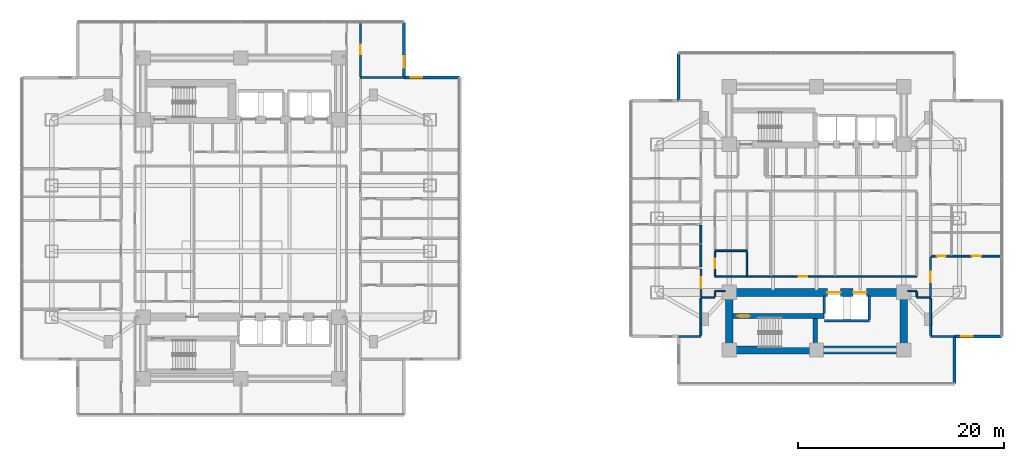
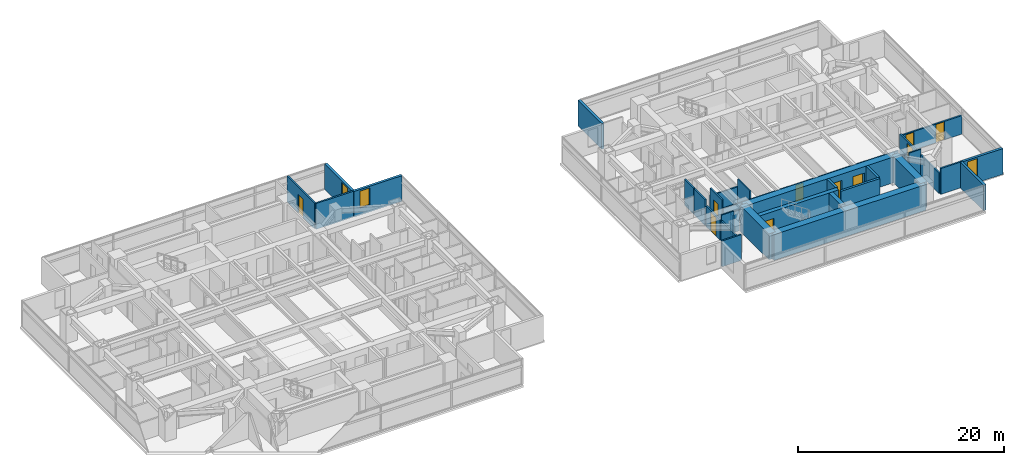
# One storey, part 16 of 26: 35 walls, 10 doors, 3 windows, 13 openings.
"""IFC4 building model written with IfcOpenShell, lengths in metres."""

from ifc_helpers import new_model, si_unit, direction, frame, frame_2d, origin, place, context, subcontext, project, spatial, rectangle, extrude, material, layer, layer_set, type_object, element, fill, save


model = new_model("IFC4")

# Units and contexts
model_context = context("Model", 3, precision=1e-05, world=origin(), true_north=direction((0.0, 1.0)))
body_context = subcontext(model_context, "Body", "Model", "MODEL_VIEW")
ifc_project = project(units=[si_unit("LENGTHUNIT", "METRE"), si_unit("AREAUNIT", "SQUARE_METRE"), si_unit("VOLUMEUNIT", "CUBIC_METRE"), si_unit("PLANEANGLEUNIT", "RADIAN"), si_unit("MASSUNIT", "GRAM", prefix="KILO")], contexts=[model_context])

# Site, building, storey
site_placement = place(None, origin())
site = spatial("IfcSite", under=ifc_project, at=site_placement, CompositionType="ELEMENT")
building_placement = place(site_placement, origin())
building = spatial("IfcBuilding", under=site, at=building_placement, Name="Mirazonda Arch Towers", CompositionType="ELEMENT")
storey_placement = place(building_placement, frame((0.0, 0.0, 25.699951171875)))
storey = spatial("IfcBuildingStorey", under=building, at=storey_placement, Name="L06", CompositionType="ELEMENT", Elevation=25.699951171875)

# Wall, opening, door
ifc_material_1 = material(Name="Concrete C50/60", Category="concrete")
ifc_layer_1 = layer(ifc_material_1, 0.449951171875, Name="WALL-CORE-450")
ifc_layer_set_1 = layer_set([ifc_layer_1], Name="Concrete C50/60")
wall_type_1 = type_object("IfcWallType", Name="WALL-CORE-450", PredefinedType="SHEAR", material=ifc_layer_set_1)
wall_1_placement = place(storey_placement, frame((68.3701171875, 18.5, 0.0), z_axis=(0.0, 0.0, 1.0), x_axis=(1.0, 0.0, 0.0)))
wall_1 = element("IfcWall", 1, at=wall_1_placement, inside=storey, type_object=wall_type_1, Name="L06 Stair Core Shear Wall 014", PredefinedType="SHEAR", context=body_context, shape_type="SweptSolid", body=[
    extrude(rectangle(XDim=8.849853515625, YDim=0.449951171875, at=frame_2d((4.4248046875, 0.0))), origin(), (0.0, 0.0, 1.0), 3.06005859375),
])
opening_1_placement = place(wall_1_placement, frame((0.469970703125, 0.0, 0.0)))
opening_1 = element("IfcOpeningElement", 2, at=opening_1_placement, cuts=wall_1, Name="Opening DR-135", PredefinedType="OPENING", context=body_context, shape_type="SweptSolid", body=[
    extrude(rectangle(XDim=1.14990234375, YDim=2.199951171875, at=frame_2d((0.574951171875, 1.10009765625))), frame((0.0, 0.23486328125, 0.0), z_axis=(0.0, -1.0, 0.0), x_axis=(1.0, 0.0, 0.0)), (0.0, 0.0, 1.0), 0.469970703125),
])
ifc_material_2 = material(Name="Architectural Brushed Steel S355", Category="steel")
door_type_1 = type_object("IfcDoorType", Name="DOOR-STAIR-FD90-1150", OperationType="NOTDEFINED", PredefinedType="DOOR", material=ifc_material_2)
door_1_placement = place(opening_1_placement, origin())
door_1 = element("IfcDoor", 3, at=door_1_placement, inside=storey, type_object=door_type_1, Name="L06 East Protected Stair South Door", OperationType="SINGLE_SWING_LEFT", OverallHeight=2.199951171875, OverallWidth=1.14990234375, PredefinedType="DOOR", context=body_context, shape_type="SweptSolid", body=[
    extrude(rectangle(XDim=1.14990234375, YDim=2.199951171875, at=frame_2d((0.574951171875, 1.10009765625))), frame((0.0, 0.02490234375, 0.0), z_axis=(0.0, -1.0, 0.0), x_axis=(1.0, 0.0, 0.0)), (0.0, 0.0, 1.0), 0.050048828125),
])
fill(opening_1, door_1)

# Walls
wall_2_placement = place(storey_placement, frame((76.360107421875, 15.9150390625, 0.0), z_axis=(0.0, 0.0, 1.0), x_axis=(0.0, 1.0, 0.0)))
element("IfcWall", 4, at=wall_2_placement, inside=storey, type_object=wall_type_1, Name="L06 Stair Core Shear Wall 143", PredefinedType="SHEAR", context=body_context, shape_type="SweptSolid", body=[
    extrude(rectangle(XDim=2.349853515625, YDim=0.449951171875, at=frame_2d((1.1748046875, 0.0))), origin(), (0.0, 0.0, 1.0), 3.06005859375),
])
ifc_material_3 = material(Name="Concrete C60/75", Category="concrete")
ifc_layer_2 = layer(ifc_material_3, 0.75, Name="WALL-CORE-750")
ifc_layer_set_2 = layer_set([ifc_layer_2], Name="Concrete C60/75")
wall_type_2 = type_object("IfcWallType", Name="WALL-CORE-750", PredefinedType="SHEAR", material=ifc_layer_set_2)
wall_3_placement = place(storey_placement, frame((68.0, 15.199951171875, 0.0), z_axis=(0.0, 0.0, 1.0), x_axis=(1.0, 0.0, 0.0)))
element("IfcWall", 5, at=wall_3_placement, inside=storey, type_object=wall_type_2, Name="L06 T2S-S Core Shear Wall", PredefinedType="SHEAR", context=body_context, shape_type="SweptSolid", body=[
    extrude(rectangle(XDim=17.0, YDim=0.75, at=frame_2d((8.5, 0.0))), origin(), (0.0, 0.0, 1.0), 3.06005859375),
])
for number, where, z_axis, x_axis, name in (
    (6, (68.0, 15.199951171875, 0.0), (0.0, 0.0, 1.0), (0.0, 1.0, 0.0), "L06 T2S-W Core Shear Wall"),
    (7, (85.0, 15.199951171875, 0.0), (0.0, 0.0, 1.0), (0.0, 1.0, 0.0), "L06 T2S-E Core Shear Wall"),
):
    element("IfcWall", number, at=place(storey_placement, frame(where, z_axis=z_axis, x_axis=x_axis)), inside=storey, type_object=wall_type_2, Name=name, PredefinedType="SHEAR", context=body_context, shape_type="SweptSolid", body=[
        extrude(rectangle(XDim=5.60009765625, YDim=0.75, at=frame_2d((2.800048828125, 0.0))), origin(), (0.0, 0.0, 1.0), 3.06005859375),
    ])

# Wall, openings, doors
wall_4_placement = place(storey_placement, frame((68.0, 20.800048828125, 0.0), z_axis=(0.0, 0.0, 1.0), x_axis=(1.0, 0.0, 0.0)))
wall_4 = element("IfcWall", 8, at=wall_4_placement, inside=storey, type_object=wall_type_2, Name="L06 T2S-N Core Shear Wall", PredefinedType="SHEAR", context=body_context, shape_type="SweptSolid", body=[
    extrude(rectangle(XDim=17.0, YDim=0.75, at=frame_2d((8.5, 0.0))), origin(), (0.0, 0.0, 1.0), 3.06005859375),
])
opening_2_placement = place(wall_4_placement, frame((9.550048828125, 0.0, 0.0)))
opening_2 = element("IfcOpeningElement", 9, at=opening_2_placement, cuts=wall_4, Name="Opening LD-111", PredefinedType="OPENING", context=body_context, shape_type="SweptSolid", body=[
    extrude(rectangle(XDim=1.300048828125, YDim=2.300048828125, at=frame_2d((0.64990234375, 1.14990234375))), frame((0.0, 0.385009765625, 0.0), z_axis=(0.0, -1.0, 0.0), x_axis=(1.0, 0.0, 0.0)), (0.0, 0.0, 1.0), 0.77001953125),
])
opening_3_placement = place(wall_4_placement, frame((12.050048828125, 0.0, 0.0)))
opening_3 = element("IfcOpeningElement", 10, at=opening_3_placement, cuts=wall_4, Name="Opening LD-111", PredefinedType="OPENING", context=body_context, shape_type="SweptSolid", body=[
    extrude(rectangle(XDim=1.300048828125, YDim=2.300048828125, at=frame_2d((0.64990234375, 1.14990234375))), frame((0.0, 0.385009765625, 0.0), z_axis=(0.0, -1.0, 0.0), x_axis=(1.0, 0.0, 0.0)), (0.0, 0.0, 1.0), 0.77001953125),
])
door_type_2 = type_object("IfcDoorType", Name="DOOR-LIFT-LAND-1300", OperationType="NOTDEFINED", PredefinedType="DOOR", material=ifc_material_2)
door_2_placement = place(opening_2_placement, origin())
door_2 = element("IfcDoor", 11, at=door_2_placement, inside=storey, type_object=door_type_2, Name="L06 Lift Landing Sliding Door PL-T2H1", OperationType="DOUBLE_DOOR_SLIDING", OverallHeight=2.300048828125, OverallWidth=1.300048828125, PredefinedType="DOOR", context=body_context, shape_type="SweptSolid", body=[
    extrude(rectangle(XDim=1.300048828125, YDim=2.300048828125, at=frame_2d((0.64990234375, 1.14990234375))), frame((0.0, 0.02490234375, 0.0), z_axis=(0.0, -1.0, 0.0), x_axis=(1.0, 0.0, 0.0)), (0.0, 0.0, 1.0), 0.050048828125),
])
fill(opening_2, door_2)
door_3_placement = place(opening_3_placement, origin())
door_3 = element("IfcDoor", 12, at=door_3_placement, inside=storey, type_object=door_type_2, Name="L06 Lift Landing Sliding Door PL-T2H2", OperationType="DOUBLE_DOOR_SLIDING", OverallHeight=2.300048828125, OverallWidth=1.300048828125, PredefinedType="DOOR", context=body_context, shape_type="SweptSolid", body=[
    extrude(rectangle(XDim=1.300048828125, YDim=2.300048828125, at=frame_2d((0.64990234375, 1.14990234375))), frame((0.0, 0.02490234375, 0.0), z_axis=(0.0, -1.0, 0.0), x_axis=(1.0, 0.0, 0.0)), (0.0, 0.0, 1.0), 0.050048828125),
])
fill(opening_3, door_3)

# Wall, opening, window
ifc_material_4 = material(Name="Precast Concrete C40/50", Category="concrete")
ifc_layer_3 = layer(ifc_material_4, 0.280029296875, Name="WALL-EXT-WALL-280")
ifc_layer_set_3 = layer_set([ifc_layer_3], Name="Precast Concrete C40/50")
wall_type_3 = type_object("IfcWallType", Name="WALL-EXT-WALL-280", PredefinedType="SOLIDWALL", material=ifc_layer_set_3)
wall_5_placement = place(storey_placement, frame((36.3798828125, 41.697998046875, 0.0), z_axis=(0.0, 0.0, 1.0), x_axis=(0.0, 1.0, 0.0)))
wall_5 = element("IfcWall", 13, at=wall_5_placement, inside=storey, type_object=wall_type_3, Name="L06 T1 Notched NE Corner Wall WL-L06-T1-CNE", PredefinedType="SOLIDWALL", context=body_context, shape_type="SweptSolid", body=[
    extrude(rectangle(XDim=5.3798828125, YDim=0.280029296875, at=frame_2d((2.68994140625, 0.0))), origin(), (0.0, 0.0, 1.0), 3.0400390625),
])
opening_4_placement = place(wall_5_placement, frame((0.949951171875, 0.0, 0.85009765625)))
opening_4 = element("IfcOpeningElement", 14, at=opening_4_placement, cuts=wall_5, Name="Opening WN-108", PredefinedType="OPENING", context=body_context, shape_type="SweptSolid", body=[
    extrude(rectangle(XDim=1.10009765625, YDim=2.0, at=frame_2d((0.550048828125, 1.0))), frame((0.0, 0.14990234375, 0.0), z_axis=(0.0, -1.0, 0.0), x_axis=(1.0, 0.0, 0.0)), (0.0, 0.0, 1.0), 0.300048828125),
])
ifc_material_5 = material(Name="Insulated Low-E Solar Glass", Category="glass")
window_type = type_object("IfcWindowType", Name="WIN-NOTCH-1100x2000", PartitioningType="SINGLE_PANEL", PredefinedType="WINDOW", material=ifc_material_5)
window_1_placement = place(opening_4_placement, origin())
window_1 = element("IfcWindow", 15, at=window_1_placement, inside=storey, type_object=window_type, Name="L06 Punched Facade Window WN-L06-T1-CNE", OverallHeight=2.0, OverallWidth=1.10009765625, PartitioningType="SINGLE_PANEL", PredefinedType="WINDOW", context=body_context, shape_type="SweptSolid", body=[
    extrude(rectangle(XDim=1.10009765625, YDim=2.0, at=frame_2d((0.550048828125, 1.0))), frame((0.0, 0.030029296875, 0.0), z_axis=(0.0, -1.0, 0.0), x_axis=(1.0, 0.0, 0.0)), (0.0, 0.0, 1.0), 0.06005859375),
])
fill(opening_4, window_1)

wall_6_placement = place(storey_placement, frame((41.760009765625, 41.697998046875, 0.0), z_axis=(0.0, 0.0, 1.0), x_axis=(-1.0, 0.0, 0.0)))
wall_6 = element("IfcWall", 16, at=wall_6_placement, inside=storey, type_object=wall_type_3, Name="L06 T1 Corner Notch Return Wall WL-L06-T1-CNE2", PredefinedType="SOLIDWALL", context=body_context, shape_type="SweptSolid", body=[
    extrude(rectangle(XDim=5.380126953125, YDim=0.280029296875, at=frame_2d((2.68994140625, 0.0))), origin(), (0.0, 0.0, 1.0), 3.0400390625),
])
opening_5_placement = place(wall_6_placement, frame((3.6298828125, 0.0, 0.85009765625)))
opening_5 = element("IfcOpeningElement", 17, at=opening_5_placement, cuts=wall_6, Name="Opening WN-108", PredefinedType="OPENING", context=body_context, shape_type="SweptSolid", body=[
    extrude(rectangle(XDim=1.10009765625, YDim=2.0, at=frame_2d((0.550048828125, 1.0))), frame((0.0, 0.14990234375, 0.0), z_axis=(0.0, -1.0, 0.0), x_axis=(1.0, 0.0, 0.0)), (0.0, 0.0, 1.0), 0.300048828125),
])
window_2_placement = place(opening_5_placement, origin())
window_2 = element("IfcWindow", 18, at=window_2_placement, inside=storey, type_object=window_type, Name="L06 Punched Facade Window WN-L06-T1-CNE2", OverallHeight=2.0, OverallWidth=1.10009765625, PartitioningType="SINGLE_PANEL", PredefinedType="WINDOW", context=body_context, shape_type="SweptSolid", body=[
    extrude(rectangle(XDim=1.10009765625, YDim=2.0, at=frame_2d((0.550048828125, 1.0))), frame((0.0, 0.030029296875, 0.0), z_axis=(0.0, -1.0, 0.0), x_axis=(1.0, 0.0, 0.0)), (0.0, 0.0, 1.0), 0.06005859375),
])
fill(opening_5, window_2)

wall_7_placement = place(storey_placement, frame((89.93798828125, 16.5166015625, 0.0), z_axis=(0.0, 0.0, 1.0), x_axis=(1.0, 0.0, 0.0)))
wall_7 = element("IfcWall", 19, at=wall_7_placement, inside=storey, type_object=wall_type_3, Name="L06 T2 Corner Notch Return Wall WL-L06-T2-CSE1", PredefinedType="SOLIDWALL", context=body_context, shape_type="SweptSolid", body=[
    extrude(rectangle(XDim=4.580078125, YDim=0.280029296875, at=frame_2d((2.2900390625, 0.0))), origin(), (0.0, 0.0, 1.0), 3.0400390625),
])
opening_6_placement = place(wall_7_placement, frame((0.64990234375, 0.0, 0.85009765625)))
opening_6 = element("IfcOpeningElement", 20, at=opening_6_placement, cuts=wall_7, Name="Opening WN-108", PredefinedType="OPENING", context=body_context, shape_type="SweptSolid", body=[
    extrude(rectangle(XDim=1.10009765625, YDim=2.0, at=frame_2d((0.550048828125, 1.0))), frame((0.0, 0.14990234375, 0.0), z_axis=(0.0, -1.0, 0.0), x_axis=(1.0, 0.0, 0.0)), (0.0, 0.0, 1.0), 0.300048828125),
])
window_3_placement = place(opening_6_placement, origin())
window_3 = element("IfcWindow", 21, at=window_3_placement, inside=storey, type_object=window_type, Name="L06 Punched Facade Window WN-L06-T2-CSE1", OverallHeight=2.0, OverallWidth=1.10009765625, PartitioningType="SINGLE_PANEL", PredefinedType="WINDOW", context=body_context, shape_type="SweptSolid", body=[
    extrude(rectangle(XDim=1.10009765625, YDim=2.0, at=frame_2d((0.550048828125, 1.0))), frame((0.0, 0.030029296875, 0.0), z_axis=(0.0, -1.0, 0.0), x_axis=(1.0, 0.0, 0.0)), (0.0, 0.0, 1.0), 0.06005859375),
])
fill(opening_6, window_3)

# Walls
for number, where, z_axis, x_axis, name in (
    (22, (89.93798828125, 11.936767578125, 0.0), (0.0, 0.0, 1.0), (0.0, 1.0, 0.0), "L06 T2 Corner Notch Return Wall WL-L06-T2-CSE2"),
    (23, (63.06201171875, 44.063232421875, 0.0), (0.0, 0.0, 1.0), (0.0, -1.0, 0.0), "L06 T2 Corner Notch Return Wall WL-L06-T2-CNW2"),
):
    element("IfcWall", number, at=place(storey_placement, frame(where, z_axis=z_axis, x_axis=x_axis)), inside=storey, type_object=wall_type_3, Name=name, PredefinedType="SOLIDWALL", context=body_context, shape_type="SweptSolid", body=[
        extrude(rectangle(XDim=4.579833984375, YDim=0.280029296875, at=frame_2d((2.2900390625, 0.0))), origin(), (0.0, 0.0, 1.0), 3.0400390625),
    ])
ifc_material_6 = material(Name="Fire-Rated Gypsum Stud Partition")
ifc_layer_4 = layer(ifc_material_6, 0.14990234375, Name="WALL-PART-CORR-150")
ifc_layer_set_4 = layer_set([ifc_layer_4], Name="Fire-Rated Gypsum Stud Partition")
wall_type_4 = type_object("IfcWallType", Name="WALL-PART-CORR-150", PredefinedType="PARTITIONING", material=ifc_layer_set_4)
wall_8_placement = place(storey_placement, frame((65.25, 20.300048828125, 0.0), z_axis=(0.0, 0.0, 1.0), x_axis=(1.0, 0.0, 0.0)))
element("IfcWall", 24, at=wall_8_placement, inside=storey, type_object=wall_type_4, Name="L06 Interior Partition 017", PredefinedType="PARTITIONING", context=body_context, shape_type="SweptSolid", body=[
    extrude(rectangle(XDim=1.3701171875, YDim=0.14990234375, at=frame_2d((0.68505859375, 0.0))), origin(), (0.0, 0.0, 1.0), 3.06005859375),
])
wall_9_placement = place(storey_placement, frame((86.25, 20.300048828125, 0.0), z_axis=(0.0, 0.0, 1.0), x_axis=(1.0, 0.0, 0.0)))
element("IfcWall", 25, at=wall_9_placement, inside=storey, type_object=wall_type_4, Name="L06 Interior Partition 018", PredefinedType="PARTITIONING", context=body_context, shape_type="SweptSolid", body=[
    extrude(rectangle(XDim=1.35009765625, YDim=0.14990234375, at=frame_2d((0.675048828125, 0.0))), origin(), (0.0, 0.0, 1.0), 3.06005859375),
])
wall_10_placement = place(storey_placement, frame((66.6201171875, 20.949951171875, 0.0), z_axis=(0.0, 0.0, 1.0), x_axis=(1.0, 0.0, 0.0)))
element("IfcWall", 26, at=wall_10_placement, inside=storey, type_object=wall_type_4, Name="L06 Interior Partition 019", PredefinedType="PARTITIONING", context=body_context, shape_type="SweptSolid", body=[
    extrude(rectangle(XDim=1.009765625, YDim=0.14990234375, at=frame_2d((0.5048828125, 0.0))), origin(), (0.0, 0.0, 1.0), 2.4521484375),
])
wall_11_placement = place(storey_placement, frame((85.3701171875, 20.949951171875, 0.0), z_axis=(0.0, 0.0, 1.0), x_axis=(1.0, 0.0, 0.0)))
element("IfcWall", 27, at=wall_11_placement, inside=storey, type_object=wall_type_4, Name="L06 Interior Partition 020", PredefinedType="PARTITIONING", context=body_context, shape_type="SweptSolid", body=[
    extrude(rectangle(XDim=0.8798828125, YDim=0.14990234375, at=frame_2d((0.43994140625, 0.0))), origin(), (0.0, 0.0, 1.0), 2.4521484375),
])

# Wall, opening, door
wall_12_placement = place(storey_placement, frame((66.6201171875, 22.35009765625, 0.0), z_axis=(0.0, 0.0, 1.0), x_axis=(1.0, 0.0, 0.0)))
wall_12 = element("IfcWall", 28, at=wall_12_placement, inside=storey, type_object=wall_type_4, Name="L06 Interior Partition 023", PredefinedType="PARTITIONING", context=body_context, shape_type="SweptSolid", body=[
    extrude(rectangle(XDim=19.6298828125, YDim=0.14990234375, at=frame_2d((9.81494140625, 0.0))), origin(), (0.0, 0.0, 1.0), 2.125),
])
opening_7_placement = place(wall_12_placement, frame((8.12890625, 0.0, 0.0)))
opening_7 = element("IfcOpeningElement", 29, at=opening_7_placement, cuts=wall_12, Name="Opening DR-128", PredefinedType="OPENING", context=body_context, shape_type="SweptSolid", body=[
    extrude(rectangle(XDim=0.85009765625, YDim=2.010009765625, at=frame_2d((0.425048828125, 1.0048828125))), frame((0.0, 0.0849609375, 0.0), z_axis=(0.0, -1.0, 0.0), x_axis=(1.0, 0.0, 0.0)), (0.0, 0.0, 1.0), 0.169921875),
])
door_type_3 = type_object("IfcDoorType", Name="DOOR-RISER-FD60-850", OperationType="NOTDEFINED", PredefinedType="DOOR", material=ifc_material_2)
door_4_placement = place(opening_7_placement, origin())
door_4 = element("IfcDoor", 30, at=door_4_placement, inside=storey, type_object=door_type_3, Name="L06 Executive Club Lounge Door", OperationType="SINGLE_SWING_RIGHT", OverallHeight=2.010009765625, OverallWidth=0.85009765625, PredefinedType="DOOR", context=body_context, shape_type="SweptSolid", body=[
    extrude(rectangle(XDim=0.85009765625, YDim=2.010009765625, at=frame_2d((0.425048828125, 1.0048828125))), frame((0.0, 0.02490234375, 0.0), z_axis=(0.0, -1.0, 0.0), x_axis=(1.0, 0.0, 0.0)), (0.0, 0.0, 1.0), 0.050048828125),
])
fill(opening_7, door_4)

# Walls
wall_13_placement = place(storey_placement, frame((66.6201171875, 24.85009765625, 0.0), z_axis=(0.0, 0.0, 1.0), x_axis=(1.0, 0.0, 0.0)))
element("IfcWall", 31, at=wall_13_placement, inside=storey, type_object=wall_type_4, Name="L06 Interior Partition 028", PredefinedType="PARTITIONING", context=body_context, shape_type="SweptSolid", body=[
    extrude(rectangle(XDim=3.1298828125, YDim=0.14990234375, at=frame_2d((1.56494140625, 0.0))), origin(), (0.0, 0.0, 1.0), 2.125),
])
wall_14_placement = place(storey_placement, frame((66.6201171875, 20.385009765625, 0.0), z_axis=(0.0, 0.0, 1.0), x_axis=(0.0, 1.0, 0.0)))
element("IfcWall", 32, at=wall_14_placement, inside=storey, type_object=wall_type_4, Name="L06 Interior Partition 131", PredefinedType="PARTITIONING", context=body_context, shape_type="SweptSolid", body=[
    extrude(rectangle(XDim=0.47998046875, YDim=0.14990234375, at=frame_2d((0.239990234375, 0.0))), origin(), (0.0, 0.0, 1.0), 2.4521484375),
])

# Wall, opening, door
wall_15_placement = place(storey_placement, frame((66.6201171875, 22.43505859375, 0.0), z_axis=(0.0, 0.0, 1.0), x_axis=(0.0, 1.0, 0.0)))
wall_15 = element("IfcWall", 33, at=wall_15_placement, inside=storey, type_object=wall_type_4, Name="L06 Interior Partition 132", PredefinedType="PARTITIONING", context=body_context, shape_type="SweptSolid", body=[
    extrude(rectangle(XDim=2.329833984375, YDim=0.14990234375, at=frame_2d((1.1650390625, 0.0))), origin(), (0.0, 0.0, 1.0), 3.06005859375),
])
opening_8_placement = place(wall_15_placement, frame((0.715087890625, 0.0, 0.0)))
opening_8 = element("IfcOpeningElement", 34, at=opening_8_placement, cuts=wall_15, Name="Opening DR-120", PredefinedType="OPENING", context=body_context, shape_type="SweptSolid", body=[
    extrude(rectangle(XDim=0.89990234375, YDim=2.10009765625, at=frame_2d((0.449951171875, 1.050048828125))), frame((0.0, 0.0849609375, 0.0), z_axis=(0.0, -1.0, 0.0), x_axis=(1.0, 0.0, 0.0)), (0.0, 0.0, 1.0), 0.169921875),
])
door_type_4 = type_object("IfcDoorType", Name="DOOR-WC-900", OperationType="NOTDEFINED", PredefinedType="DOOR", material=ifc_material_2)
door_5_placement = place(opening_8_placement, origin())
door_5 = element("IfcDoor", 35, at=door_5_placement, inside=storey, type_object=door_type_4, Name="L06 Tower 2 Common Accessible WC Door", OperationType="SINGLE_SWING_RIGHT", OverallHeight=2.10009765625, OverallWidth=0.89990234375, PredefinedType="DOOR", context=body_context, shape_type="SweptSolid", body=[
    extrude(rectangle(XDim=0.89990234375, YDim=2.10009765625, at=frame_2d((0.449951171875, 1.050048828125))), frame((0.0, 0.02490234375, 0.0), z_axis=(0.0, -1.0, 0.0), x_axis=(1.0, 0.0, 0.0)), (0.0, 0.0, 1.0), 0.050048828125),
])
fill(opening_8, door_5)

# Walls
wall_16_placement = place(storey_placement, frame((69.723388671875, 22.43505859375, 0.0), z_axis=(0.0, 0.0, 1.0), x_axis=(0.0, 1.0, 0.0)))
element("IfcWall", 36, at=wall_16_placement, inside=storey, type_object=wall_type_4, Name="L06 Interior Partition 136", PredefinedType="PARTITIONING", context=body_context, shape_type="SweptSolid", body=[
    extrude(rectangle(XDim=2.329833984375, YDim=0.14990234375, at=frame_2d((1.1650390625, 0.0))), origin(), (0.0, 0.0, 1.0), 3.06005859375),
])
wall_17_placement = place(storey_placement, frame((86.25, 20.385009765625, 0.0), z_axis=(0.0, 0.0, 1.0), x_axis=(0.0, 1.0, 0.0)))
element("IfcWall", 37, at=wall_17_placement, inside=storey, type_object=wall_type_4, Name="L06 Interior Partition 151", PredefinedType="PARTITIONING", context=body_context, shape_type="SweptSolid", body=[
    extrude(rectangle(XDim=0.47998046875, YDim=0.14990234375, at=frame_2d((0.239990234375, 0.0))), origin(), (0.0, 0.0, 1.0), 2.4521484375),
])
ifc_material_7 = material(Name="Fire-Rated Gypsum Twin-Stud Assembly")
ifc_layer_5 = layer(ifc_material_7, 0.179931640625, Name="WALL-PART-DEMISE-180")
ifc_layer_set_5 = layer_set([ifc_layer_5], Name="Fire-Rated Gypsum Twin-Stud Assembly")
wall_type_5 = type_object("IfcWallType", Name="WALL-PART-DEMISE-180", PredefinedType="PARTITIONING", material=ifc_layer_set_5)
wall_18_placement = place(storey_placement, frame((63.08203125, 16.51708984375, 0.0), z_axis=(0.0, 0.0, 1.0), x_axis=(1.0, 0.0, 0.0)))
element("IfcWall", 38, at=wall_18_placement, inside=storey, type_object=wall_type_5, Name="L06 Interior Partition 009", PredefinedType="PARTITIONING", context=body_context, shape_type="SweptSolid", body=[
    extrude(rectangle(XDim=2.16796875, YDim=0.179931640625, at=frame_2d((1.083984375, 0.0))), origin(), (0.0, 0.0, 1.0), 3.06005859375),
])
wall_19_placement = place(storey_placement, frame((87.60009765625, 16.51708984375, 0.0), z_axis=(0.0, 0.0, 1.0), x_axis=(1.0, 0.0, 0.0)))
element("IfcWall", 39, at=wall_19_placement, inside=storey, type_object=wall_type_5, Name="L06 Interior Partition 010", PredefinedType="PARTITIONING", context=body_context, shape_type="SweptSolid", body=[
    extrude(rectangle(XDim=2.31787109375, YDim=0.179931640625, at=frame_2d((1.158935546875, 0.0))), origin(), (0.0, 0.0, 1.0), 3.06005859375),
])

# Wall, openings, doors
wall_20_placement = place(storey_placement, frame((87.60009765625, 24.33203125, 0.0), z_axis=(0.0, 0.0, 1.0), x_axis=(1.0, 0.0, 0.0)))
wall_20 = element("IfcWall", 40, at=wall_20_placement, inside=storey, type_object=wall_type_5, Name="L06 Interior Partition 027", PredefinedType="PARTITIONING", context=body_context, shape_type="SweptSolid", body=[
    extrude(rectangle(XDim=6.91796875, YDim=0.179931640625, at=frame_2d((3.458984375, 0.0))), origin(), (0.0, 0.0, 1.0), 2.196044921875),
])
opening_9_placement = place(wall_20_placement, frame((3.98388671875, 0.0, 0.0)))
opening_9 = element("IfcOpeningElement", 41, at=opening_9_placement, cuts=wall_20, Name="Opening DR-104", PredefinedType="OPENING", context=body_context, shape_type="SweptSolid", body=[
    extrude(rectangle(XDim=0.949951171875, YDim=2.14990234375, at=frame_2d((0.47509765625, 1.074951171875))), frame((0.0, 0.099853515625, 0.0), z_axis=(0.0, -1.0, 0.0), x_axis=(1.0, 0.0, 0.0)), (0.0, 0.0, 1.0), 0.199951171875),
])
opening_10_placement = place(wall_20_placement, frame((0.590087890625, 0.0, 0.0)))
opening_10 = element("IfcOpeningElement", 42, at=opening_10_placement, cuts=wall_20, Name="Opening DR-120", PredefinedType="OPENING", context=body_context, shape_type="SweptSolid", body=[
    extrude(rectangle(XDim=0.89990234375, YDim=2.10009765625, at=frame_2d((0.449951171875, 1.050048828125))), frame((0.0, 0.099853515625, 0.0), z_axis=(0.0, -1.0, 0.0), x_axis=(1.0, 0.0, 0.0)), (0.0, 0.0, 1.0), 0.199951171875),
])
door_type_5 = type_object("IfcDoorType", Name="DOOR-ROOM-950", OperationType="NOTDEFINED", PredefinedType="DOOR", material=ifc_material_2)
door_6_placement = place(opening_9_placement, origin())
door_6 = element("IfcDoor", 43, at=door_6_placement, inside=storey, type_object=door_type_5, Name="L06 Suite Bedroom 1 Door", OperationType="SINGLE_SWING_LEFT", OverallHeight=2.14990234375, OverallWidth=0.949951171875, PredefinedType="DOOR", context=body_context, shape_type="SweptSolid", body=[
    extrude(rectangle(XDim=0.949951171875, YDim=2.14990234375, at=frame_2d((0.47509765625, 1.074951171875))), frame((0.0, 0.02490234375, 0.0), z_axis=(0.0, -1.0, 0.0), x_axis=(1.0, 0.0, 0.0)), (0.0, 0.0, 1.0), 0.050048828125),
])
fill(opening_9, door_6)
door_7_placement = place(opening_10_placement, origin())
door_7 = element("IfcDoor", 44, at=door_7_placement, inside=storey, type_object=door_type_4, Name="L06 Suite En-Suite Bathroom 1 Door", OperationType="SINGLE_SWING_RIGHT", OverallHeight=2.10009765625, OverallWidth=0.89990234375, PredefinedType="DOOR", context=body_context, shape_type="SweptSolid", body=[
    extrude(rectangle(XDim=0.89990234375, YDim=2.10009765625, at=frame_2d((0.449951171875, 1.050048828125))), frame((0.0, 0.02490234375, 0.0), z_axis=(0.0, -1.0, 0.0), x_axis=(1.0, 0.0, 0.0)), (0.0, 0.0, 1.0), 0.050048828125),
])
fill(opening_10, door_7)

# Wall
wall_21_placement = place(storey_placement, frame((32.139892578125, 41.697998046875, 0.0), z_axis=(0.0, 0.0, 1.0), x_axis=(1.0, 0.0, 0.0)))
element("IfcWall", 45, at=wall_21_placement, inside=storey, type_object=wall_type_5, Name="L06 Interior Partition 060", PredefinedType="PARTITIONING", context=body_context, shape_type="SweptSolid", body=[
    extrude(rectangle(XDim=4.22021484375, YDim=0.179931640625, at=frame_2d((2.110107421875, 0.0))), origin(), (0.0, 0.0, 1.0), 3.06005859375),
])

# Wall, opening, door
wall_22_placement = place(storey_placement, frame((32.139892578125, 41.798095703125, 0.0), z_axis=(0.0, 0.0, 1.0), x_axis=(0.0, 1.0, 0.0)))
wall_22 = element("IfcWall", 46, at=wall_22_placement, inside=storey, type_object=wall_type_5, Name="L06 Interior Partition 115", PredefinedType="PARTITIONING", context=body_context, shape_type="SweptSolid", body=[
    extrude(rectangle(XDim=5.27978515625, YDim=0.179931640625, at=frame_2d((2.639892578125, 0.0))), origin(), (0.0, 0.0, 1.0), 3.06005859375),
])
opening_11_placement = place(wall_22_placement, frame((2.1650390625, 0.0, 0.0)))
opening_11 = element("IfcOpeningElement", 47, at=opening_11_placement, cuts=wall_22, Name="Opening DR-104", PredefinedType="OPENING", context=body_context, shape_type="SweptSolid", body=[
    extrude(rectangle(XDim=0.949951171875, YDim=2.14990234375, at=frame_2d((0.47509765625, 1.074951171875))), frame((0.0, 0.099853515625, 0.0), z_axis=(0.0, -1.0, 0.0), x_axis=(1.0, 0.0, 0.0)), (0.0, 0.0, 1.0), 0.199951171875),
])
door_8_placement = place(opening_11_placement, origin())
door_8 = element("IfcDoor", 48, at=door_8_placement, inside=storey, type_object=door_type_5, Name="L06 North Reading Salon Alcove East Door", OperationType="SINGLE_SWING_LEFT", OverallHeight=2.14990234375, OverallWidth=0.949951171875, PredefinedType="DOOR", context=body_context, shape_type="SweptSolid", body=[
    extrude(rectangle(XDim=0.949951171875, YDim=2.14990234375, at=frame_2d((0.47509765625, 1.074951171875))), frame((0.0, 0.02490234375, 0.0), z_axis=(0.0, -1.0, 0.0), x_axis=(1.0, 0.0, 0.0)), (0.0, 0.0, 1.0), 0.050048828125),
])
fill(opening_11, door_8)

# Wall
wall_23_placement = place(storey_placement, frame((65.25, 16.616943359375, 0.0), z_axis=(0.0, 0.0, 1.0), x_axis=(0.0, 1.0, 0.0)))
element("IfcWall", 49, at=wall_23_placement, inside=storey, type_object=wall_type_5, Name="L06 Interior Partition 123", PredefinedType="PARTITIONING", context=body_context, shape_type="SweptSolid", body=[
    extrude(rectangle(XDim=3.59814453125, YDim=0.179931640625, at=frame_2d((1.799072265625, 0.0))), origin(), (0.0, 0.0, 1.0), 2.43603515625),
])

# Wall, opening, door
wall_24_placement = place(storey_placement, frame((65.25, 20.385009765625, 0.0), z_axis=(0.0, 0.0, 1.0), x_axis=(0.0, 1.0, 0.0)))
wall_24 = element("IfcWall", 50, at=wall_24_placement, inside=storey, type_object=wall_type_5, Name="L06 Interior Partition 124", PredefinedType="PARTITIONING", context=body_context, shape_type="SweptSolid", body=[
    extrude(rectangle(XDim=2.70703125, YDim=0.179931640625, at=frame_2d((1.353515625, 0.0))), origin(), (0.0, 0.0, 1.0), 2.4521484375),
])
opening_12_placement = place(wall_24_placement, frame((0.82861328125, 0.0, 0.0)))
opening_12 = element("IfcOpeningElement", 51, at=opening_12_placement, cuts=wall_24, Name="Opening DR-121", PredefinedType="OPENING", context=body_context, shape_type="SweptSolid", body=[
    extrude(rectangle(XDim=1.050048828125, YDim=2.199951171875, at=frame_2d((0.52490234375, 1.10009765625))), frame((0.0, 0.099853515625, 0.0), z_axis=(0.0, -1.0, 0.0), x_axis=(1.0, 0.0, 0.0)), (0.0, 0.0, 1.0), 0.199951171875),
])
door_type_6 = type_object("IfcDoorType", Name="DOOR-SUITE-FD60-1050", OperationType="NOTDEFINED", PredefinedType="DOOR", material=ifc_material_2)
door_9_placement = place(opening_12_placement, origin())
door_9 = element("IfcDoor", 52, at=door_9_placement, inside=storey, type_object=door_type_6, Name="L06 King Hotel Guestroom 1 Door", OperationType="SINGLE_SWING_LEFT", OverallHeight=2.199951171875, OverallWidth=1.050048828125, PredefinedType="DOOR", context=body_context, shape_type="SweptSolid", body=[
    extrude(rectangle(XDim=1.050048828125, YDim=2.199951171875, at=frame_2d((0.52490234375, 1.10009765625))), frame((0.0, 0.02490234375, 0.0), z_axis=(0.0, -1.0, 0.0), x_axis=(1.0, 0.0, 0.0)), (0.0, 0.0, 1.0), 0.050048828125),
])
fill(opening_12, door_9)

# Walls
wall_25_placement = place(storey_placement, frame((65.25, 23.2919921875, 0.0), z_axis=(0.0, 0.0, 1.0), x_axis=(0.0, 1.0, 0.0)))
element("IfcWall", 53, at=wall_25_placement, inside=storey, type_object=wall_type_5, Name="L06 Interior Partition 125", PredefinedType="PARTITIONING", context=body_context, shape_type="SweptSolid", body=[
    extrude(rectangle(XDim=2.12744140625, YDim=0.179931640625, at=frame_2d((1.063720703125, 0.0))), origin(), (0.0, 0.0, 1.0), 3.06005859375),
])
wall_26_placement = place(storey_placement, frame((65.25, 25.564453125, 0.0), z_axis=(0.0, 0.0, 1.0), x_axis=(0.0, 1.0, 0.0)))
element("IfcWall", 54, at=wall_26_placement, inside=storey, type_object=wall_type_5, Name="L06 Interior Partition 126", PredefinedType="PARTITIONING", context=body_context, shape_type="SweptSolid", body=[
    extrude(rectangle(XDim=1.762451171875, YDim=0.179931640625, at=frame_2d((0.88134765625, 0.0))), origin(), (0.0, 0.0, 1.0), 3.06005859375),
])
wall_27_placement = place(storey_placement, frame((87.60009765625, 16.616943359375, 0.0), z_axis=(0.0, 0.0, 1.0), x_axis=(0.0, 1.0, 0.0)))
element("IfcWall", 55, at=wall_27_placement, inside=storey, type_object=wall_type_5, Name="L06 Interior Partition 155", PredefinedType="PARTITIONING", context=body_context, shape_type="SweptSolid", body=[
    extrude(rectangle(XDim=3.59814453125, YDim=0.179931640625, at=frame_2d((1.799072265625, 0.0))), origin(), (0.0, 0.0, 1.0), 2.43603515625),
])

# Wall, opening, door
wall_28_placement = place(storey_placement, frame((87.60009765625, 20.385009765625, 0.0), z_axis=(0.0, 0.0, 1.0), x_axis=(0.0, 1.0, 0.0)))
wall_28 = element("IfcWall", 56, at=wall_28_placement, inside=storey, type_object=wall_type_5, Name="L06 Interior Partition 156", PredefinedType="PARTITIONING", context=body_context, shape_type="SweptSolid", body=[
    extrude(rectangle(XDim=3.846923828125, YDim=0.179931640625, at=frame_2d((1.92333984375, 0.0))), origin(), (0.0, 0.0, 1.0), 2.4521484375),
])
opening_13_placement = place(wall_28_placement, frame((1.3984375, 0.0, 0.0)))
opening_13 = element("IfcOpeningElement", 57, at=opening_13_placement, cuts=wall_28, Name="Opening DR-121", PredefinedType="OPENING", context=body_context, shape_type="SweptSolid", body=[
    extrude(rectangle(XDim=1.050048828125, YDim=2.199951171875, at=frame_2d((0.52490234375, 1.10009765625))), frame((0.0, 0.099853515625, 0.0), z_axis=(0.0, -1.0, 0.0), x_axis=(1.0, 0.0, 0.0)), (0.0, 0.0, 1.0), 0.199951171875),
])
door_10_placement = place(opening_13_placement, origin())
door_10 = element("IfcDoor", 58, at=door_10_placement, inside=storey, type_object=door_type_6, Name="L06 Panoramic Suite Salon 1 Door", OperationType="SINGLE_SWING_RIGHT", OverallHeight=2.199951171875, OverallWidth=1.050048828125, PredefinedType="DOOR", context=body_context, shape_type="SweptSolid", body=[
    extrude(rectangle(XDim=1.050048828125, YDim=2.199951171875, at=frame_2d((0.52490234375, 1.10009765625))), frame((0.0, 0.02490234375, 0.0), z_axis=(0.0, -1.0, 0.0), x_axis=(1.0, 0.0, 0.0)), (0.0, 0.0, 1.0), 0.050048828125),
])
fill(opening_13, door_10)

# Walls
ifc_material_8 = material(Name="Concrete C40/50", Category="concrete")
ifc_layer_6 = layer(ifc_material_8, 0.25, Name="WALL-SHAFT-250")
ifc_layer_set_6 = layer_set([ifc_layer_6], Name="Concrete C40/50")
wall_type_6 = type_object("IfcWallType", Name="WALL-SHAFT-250", PredefinedType="SOLIDWALL", material=ifc_layer_set_6)
wall_29_placement = place(storey_placement, frame((77.300048828125, 18.050048828125, 0.0), z_axis=(0.0, 0.0, 1.0), x_axis=(1.0, 0.0, 0.0)))
element("IfcWall", 59, at=wall_29_placement, inside=storey, type_object=wall_type_6, Name="L06 Interior Partition 011", PredefinedType="SOLIDWALL", context=body_context, shape_type="SweptSolid", body=[
    extrude(rectangle(XDim=4.349853515625, YDim=0.25, at=frame_2d((2.1748046875, 0.0))), origin(), (0.0, 0.0, 1.0), 3.06005859375),
])
wall_30_placement = place(storey_placement, frame((77.260009765625, 18.735107421875, 0.0), z_axis=(0.0, 0.0, 1.0), x_axis=(0.0, 1.0, 0.0)))
element("IfcWall", 60, at=wall_30_placement, inside=storey, type_object=wall_type_6, Name="L06 Interior Partition 145", PredefinedType="SOLIDWALL", context=body_context, shape_type="SweptSolid", body=[
    extrude(rectangle(XDim=1.69482421875, YDim=0.25, at=frame_2d((0.847412109375, 0.0))), origin(), (0.0, 0.0, 1.0), 3.06005859375),
])
wall_31_placement = place(storey_placement, frame((81.64990234375, 18.18505859375, 0.0), z_axis=(0.0, 0.0, 1.0), x_axis=(0.0, 1.0, 0.0)))
element("IfcWall", 61, at=wall_31_placement, inside=storey, type_object=wall_type_6, Name="L06 Interior Partition 149", PredefinedType="SOLIDWALL", context=body_context, shape_type="SweptSolid", body=[
    extrude(rectangle(XDim=2.244873046875, YDim=0.25, at=frame_2d((1.12255859375, 0.0))), origin(), (0.0, 0.0, 1.0), 3.06005859375),
])

save(model, "model.ifc")
